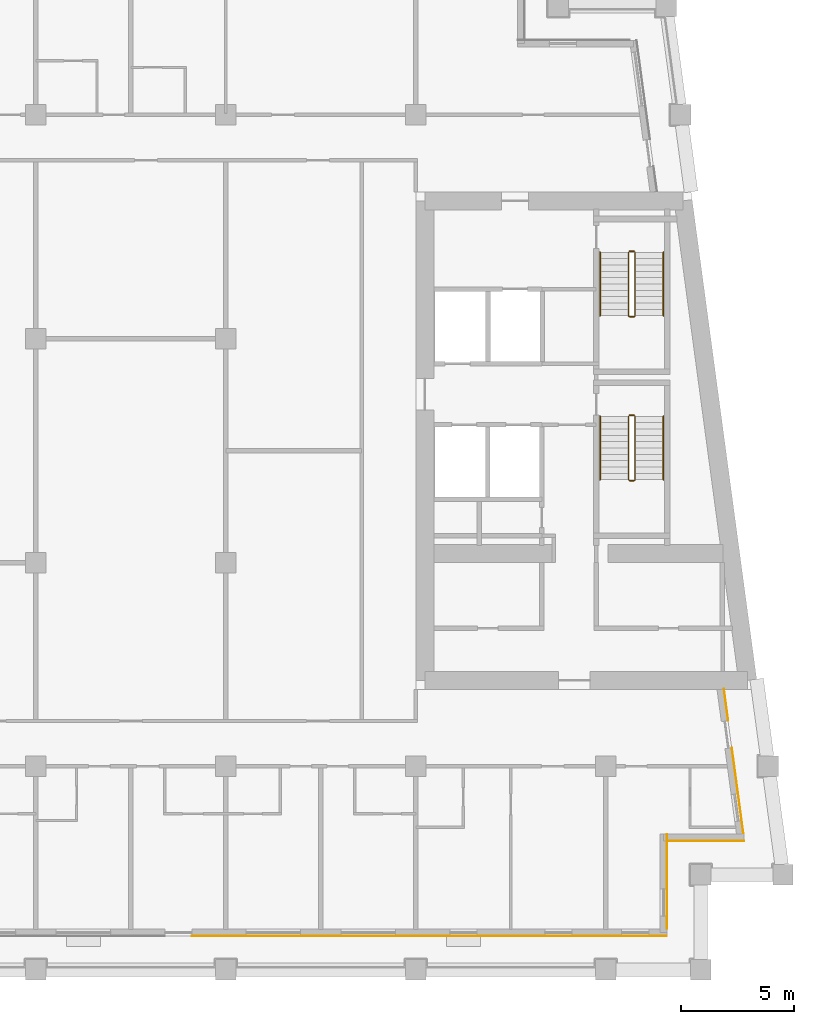
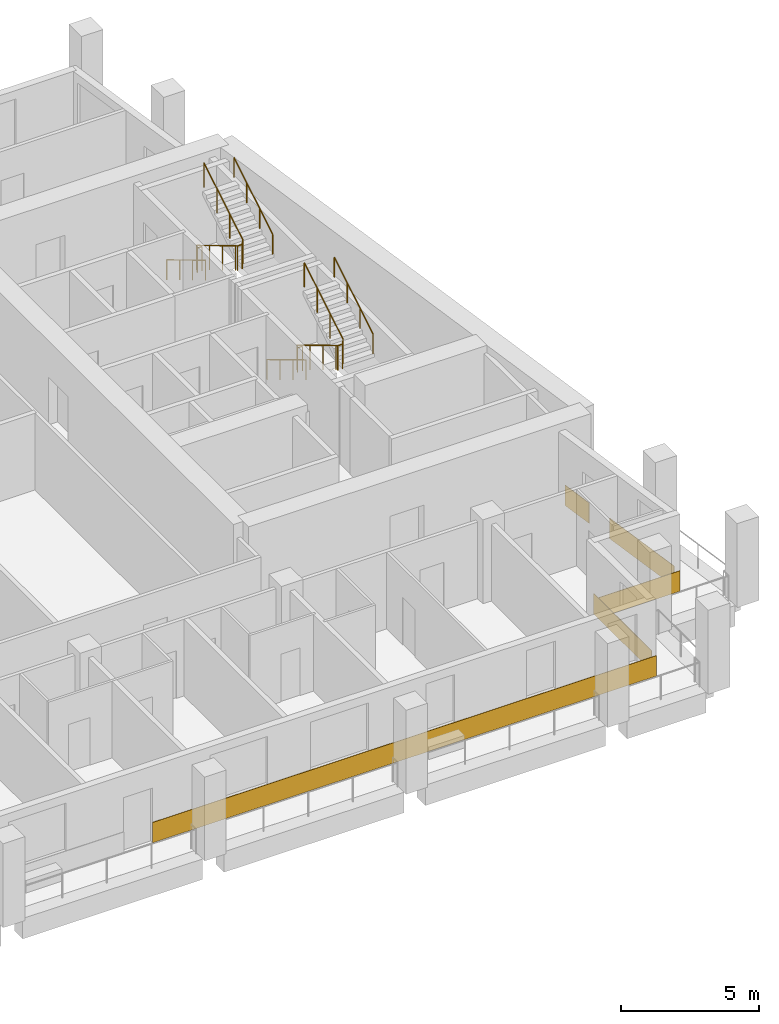
# One storey, part 10 of 12: 8 railings, 5 coverings.
"""IFC4 building model written with IfcOpenShell, lengths in metres."""

import ifcopenshell
import ifcopenshell.guid

model = None  # the IFC model being written
_history = None  # IfcOwnerHistory: only IFC2X3 demands one
_inside = {}  # id of a spatial element -> (the spatial element, [elements in it])
_under = {}  # id of a project, library or spatial element -> (it, [spatial elements below it])
_declared = {}  # id of a project -> (the project, [libraries it declares])
_typed = {}  # id of a type object -> (the type object, [elements of that type])
_made_of = {}  # id of a material, layer set ... -> (it, [elements and type objects made of it])


def new_model(schema):
    """Start an empty IFC model of exactly this schema.

    Asked for "IFC4X3", IfcOpenShell would pick the latest addendum, in which some entities
    have other attributes; the version numbers below select the first issue.
    IFC2X3 requires an IfcOwnerHistory on every rooted entity: one is made here for all.
    """
    global model, _history
    if schema == "IFC4X3":
        model = ifcopenshell.file(schema_version=(4, 3, 0, 0))
    else:
        model = ifcopenshell.file(schema=schema)
    _inside.clear()
    _under.clear()
    _declared.clear()
    _typed.clear()
    _made_of.clear()
    _history = None
    if model.schema == "IFC2X3":
        org = make("IfcOrganization", Name="unknown")
        user = make(
            "IfcPersonAndOrganization",
            ThePerson=make("IfcPerson", FamilyName="unknown"),
            TheOrganization=org,
        )
        app = make(
            "IfcApplication",
            ApplicationDeveloper=org,
            Version="unknown",
            ApplicationFullName="unknown",
            ApplicationIdentifier="unknown",
        )
        _history = make(
            "IfcOwnerHistory",
            OwningUser=user,
            OwningApplication=app,
            ChangeAction="ADDED",
            CreationDate=0,
        )
    return model


def make(cls, **values):
    """One entity of the class cls with the attributes given. An attribute that is None is left unset."""
    return model.create_entity(
        cls, **{name: value for name, value in values.items() if value is not None}
    )


def rooted(cls, **values):
    """An entity with a GlobalId (a new one), such as an element, a storey or a relation."""
    return make(cls, GlobalId=ifcopenshell.guid.new(), OwnerHistory=_history, **values)


def si_unit(unit_type, name, prefix=None):
    """IfcSIUnit, for example si_unit("LENGTHUNIT", "METRE", prefix="MILLI")."""
    return make("IfcSIUnit", UnitType=unit_type, Prefix=prefix, Name=name)


def assignment(units):
    """IfcUnitAssignment: the units of a project."""
    return None if units is None else make("IfcUnitAssignment", Units=units)


def point(xyz):
    """IfcCartesianPoint."""
    return None if xyz is None else make("IfcCartesianPoint", Coordinates=xyz)


def direction(xyz):
    """IfcDirection."""
    return None if xyz is None else make("IfcDirection", DirectionRatios=xyz)


def frame(location, z_axis=None, x_axis=None):
    """IfcAxis2Placement3D, a coordinate frame: its origin and axes. An axis left out is left unset."""
    return make(
        "IfcAxis2Placement3D",
        Location=point(location),
        Axis=direction(z_axis),
        RefDirection=direction(x_axis),
    )


def frame_2d(location, x_axis=None):
    """IfcAxis2Placement2D, a coordinate frame in the plane: its origin and x axis."""
    return make(
        "IfcAxis2Placement2D", Location=point(location), RefDirection=direction(x_axis)
    )


def origin():
    """The frame at (0, 0, 0) with its axes left unset."""
    return frame((0.0, 0.0, 0.0))


def origin_2d():
    """The frame at (0, 0) in the plane with its x axis left unset."""
    return frame_2d((0.0, 0.0))


def place(relative_to, where):
    """IfcLocalPlacement: puts the frame where relative to a parent placement (None: the world)."""
    return make(
        "IfcLocalPlacement", PlacementRelTo=relative_to, RelativePlacement=where
    )


def context(
    kind, dimensions, precision=None, world=None, true_north=None, identifier=None
):
    """IfcGeometricRepresentationContext, for example the 3D "Model" context."""
    return make(
        "IfcGeometricRepresentationContext",
        ContextIdentifier=identifier,
        ContextType=kind,
        CoordinateSpaceDimension=dimensions,
        Precision=precision,
        WorldCoordinateSystem=world,
        TrueNorth=true_north,
    )


def subcontext(parent, identifier, kind, view, scale=None):
    """IfcGeometricRepresentationSubContext, for example "Body" below "Model"."""
    return make(
        "IfcGeometricRepresentationSubContext",
        ContextIdentifier=identifier,
        ContextType=kind,
        ParentContext=parent,
        TargetScale=scale,
        TargetView=view,
    )


def project(units=None, contexts=None):
    """IfcProject with its units and contexts."""
    return rooted(
        "IfcProject",
        Name="project",
        RepresentationContexts=contexts,
        UnitsInContext=assignment(units),
    )


def spatial(cls, under=None, at=None, **own):
    """A site, building, storey or space (cls), placed at a placement, below another one or the project."""
    s = rooted(cls, ObjectPlacement=at, **own)
    if under is not None:
        _under.setdefault(under.id(), (under, []))[1].append(s)
    return s


def profile(cls, at=None, kind="AREA", **sizes):
    """A parametric profile (cls). Its sizes go by their IFC names, for example OverallWidth=200.0."""
    return make(cls, ProfileType=kind, Position=at, **sizes)


def rectangle(**sizes):
    """IfcRectangleProfileDef."""
    return profile("IfcRectangleProfileDef", **sizes)


def circle(**sizes):
    """IfcCircleProfileDef."""
    return profile("IfcCircleProfileDef", **sizes)


def extrude(swept, where, along, depth):
    """IfcExtrudedAreaSolid: the profile swept, set in the frame where, extruded along a direction by depth."""
    return make(
        "IfcExtrudedAreaSolid",
        SweptArea=swept,
        Position=where,
        ExtrudedDirection=direction(along),
        Depth=depth,
    )


def shape(context_of_items, identifier, shape_type, items):
    """IfcShapeRepresentation: the items that make up one representation, for example the "Body"."""
    return make(
        "IfcShapeRepresentation",
        ContextOfItems=context_of_items,
        RepresentationIdentifier=identifier,
        RepresentationType=shape_type,
        Items=items,
    )


def material(Name=None, Category=None):
    """IfcMaterial."""
    return make("IfcMaterial", Name=Name, Category=Category)


def layer(
    of_material, thickness, ventilated=None, Name=None, Category=None, Priority=None
):
    """IfcMaterialLayer: one layer of a wall or slab, of a material (None: an air gap)."""
    return make(
        "IfcMaterialLayer",
        Material=of_material,
        LayerThickness=thickness,
        IsVentilated=ventilated,
        Name=Name,
        Category=Category,
        Priority=Priority,
    )


def layer_set(layers, Name=None):
    """IfcMaterialLayerSet."""
    return make("IfcMaterialLayerSet", MaterialLayers=layers, LayerSetName=Name)


def made_of(thing, what):
    """Note that an element or type object is made of a material, layer set ...; save() writes the relation."""
    if what is not None:
        _made_of.setdefault(what.id(), (what, []))[1].append(thing)
    return thing


def type_object(cls, material=None, **own):
    """A type object (cls), such as IfcWallType, which elements share."""
    return made_of(rooted(cls, **own), material)


def element(
    cls,
    number,
    at=None,
    inside=None,
    cuts=None,
    type_object=None,
    material=None,
    context=None,
    identifier="Body",
    shape_type=None,
    held_by="IfcProductDefinitionShape",
    body=None,
    shapes=None,
    **own,
):
    """One element of the class cls, such as IfcWall. Its Tag is "e" and its number.

    at: its placement. inside: the storey or other place that contains it. cuts: it is an
    opening in that element (IfcRelVoidsElement). A single representation is given by context,
    identifier, shape_type and body (its items); several are given by shapes. held_by: the class
    of the entity that holds the representations. save() writes the other relations.
    """
    e = rooted(cls, Tag="e%d" % number, ObjectPlacement=at, **own)
    if body is not None:
        shapes = [shape(context, identifier, shape_type, body)]
    if shapes is not None:
        e.Representation = make(held_by, Representations=shapes)
    if inside is not None:
        _inside.setdefault(inside.id(), (inside, []))[1].append(e)
    if cuts is not None:
        rooted(
            "IfcRelVoidsElement", RelatingBuildingElement=cuts, RelatedOpeningElement=e
        )
    if type_object is not None:
        _typed.setdefault(type_object.id(), (type_object, []))[1].append(e)
    return made_of(e, material)


def aggregate(whole, parts):
    """IfcRelAggregates: a whole, such as a stair, and the parts it consists of."""
    return rooted("IfcRelAggregates", RelatingObject=whole, RelatedObjects=parts)


def save(model, path):
    """Write the relations noted so far, then the file.

    IfcRelAggregates (storeys below a building ...), IfcRelContainedInSpatialStructure (elements
    in a storey), IfcRelDefinesByType, IfcRelAssociatesMaterial and IfcRelDeclares: one each for
    every whole, place, type object, material and project.
    """
    for whole, parts in _under.values():
        aggregate(whole, parts)
    for where, things in _inside.values():
        rooted(
            "IfcRelContainedInSpatialStructure",
            RelatedElements=things,
            RelatingStructure=where,
        )
    for kind, things in _typed.values():
        rooted("IfcRelDefinesByType", RelatedObjects=things, RelatingType=kind)
    for what, things in _made_of.values():
        rooted("IfcRelAssociatesMaterial", RelatedObjects=things, RelatingMaterial=what)
    for by, libraries in _declared.values():
        rooted("IfcRelDeclares", RelatingContext=by, RelatedDefinitions=libraries)
    model.write(path)


model = new_model("IFC4")

# Units and contexts
model_context = context("Model", 3, precision=1e-05, world=origin(), true_north=direction((0.0, 1.0)))
body_context = subcontext(model_context, "Body", "Model", "MODEL_VIEW")
ifc_project = project(units=[si_unit("LENGTHUNIT", "METRE"), si_unit("AREAUNIT", "SQUARE_METRE"), si_unit("VOLUMEUNIT", "CUBIC_METRE"), si_unit("PLANEANGLEUNIT", "RADIAN"), si_unit("MASSUNIT", "GRAM", prefix="KILO")], contexts=[model_context])

# Site, building, storey
site_placement = place(None, origin())
site = spatial("IfcSite", under=ifc_project, at=site_placement, CompositionType="ELEMENT")
building_placement = place(site_placement, origin())
building = spatial("IfcBuilding", under=site, at=building_placement, Name="Candeia Pilgrim Tower and Theatre", CompositionType="ELEMENT")
storey_placement = place(building_placement, frame((0.0, 0.0, 209.60009765625)))
storey = spatial("IfcBuildingStorey", under=building, at=storey_placement, Name="L50", CompositionType="ELEMENT", Elevation=209.60009765625)

# Coverings
ifc_material_1 = material(Name="Glazed ceramic tile bottle green")
ifc_layer_1 = layer(ifc_material_1, 0.02001953125)
ifc_layer_set_1 = layer_set([ifc_layer_1], Name="Glazed ceramic tile bottle green")
covering_type_1 = type_object("IfcCoveringType", Name="Glazed ceramic tile bottle green", PredefinedType="CLADDING", material=ifc_layer_set_1)
covering_1_placement = place(storey_placement, frame((126.60009765625, 99.489990234375, 0.0), z_axis=(0.0, 0.0, 1.0), x_axis=(1.0, 0.0, 0.0)))
element("IfcCovering", 1, at=covering_1_placement, inside=storey, type_object=covering_type_1, Name="Tile cladding bottle green L50", PredefinedType="CLADDING", context=body_context, shape_type="SweptSolid", body=[
    extrude(rectangle(XDim=21.0, YDim=0.02001953125, at=origin_2d()), origin(), (0.0, 0.0, 1.0), 0.89990234375),
])
covering_2_placement = place(storey_placement, frame((138.819580078125, 103.68994140625, 0.0), z_axis=(0.0, 0.0, 1.0), x_axis=(1.0, 0.0, 0.0)))
element("IfcCovering", 2, at=covering_2_placement, inside=storey, type_object=covering_type_1, Name="Tile cladding bottle green L50", PredefinedType="CLADDING", context=body_context, shape_type="SweptSolid", body=[
    extrude(rectangle(XDim=3.399169921875, YDim=0.02001953125, at=origin_2d()), origin(), (0.0, 0.0, 1.0), 0.89990234375),
])
ifc_material_2 = material(Name="Glazed ceramic tile rust")
ifc_layer_2 = layer(ifc_material_2, 0.02001953125)
ifc_layer_set_2 = layer_set([ifc_layer_2], Name="Glazed ceramic tile rust")
covering_type_2 = type_object("IfcCoveringType", Name="Glazed ceramic tile rust", PredefinedType="CLADDING", material=ifc_layer_set_2)
covering_3_placement = place(storey_placement, frame((137.110107421875, 101.909912109375, 0.0), z_axis=(0.0, 0.0, 1.0), x_axis=(0.0, 1.0, 0.0)))
element("IfcCovering", 3, at=covering_3_placement, inside=storey, type_object=covering_type_2, Name="Tile cladding rust L50", PredefinedType="CLADDING", context=body_context, shape_type="SweptSolid", body=[
    extrude(rectangle(XDim=4.179931640625, YDim=0.02001953125, at=origin_2d()), origin(), (0.0, 0.0, 1.0), 0.89990234375),
])
covering_4_placement = place(storey_placement, frame((140.228515625, 105.933349609375, 0.0), z_axis=(0.0, 0.0, 1.0), x_axis=(-0.133412012145, 0.991060661622, 0.0)))
element("IfcCovering", 4, at=covering_4_placement, inside=storey, type_object=covering_type_2, Name="Tile cladding rust L50", PredefinedType="CLADDING", context=body_context, shape_type="SweptSolid", body=[
    extrude(rectangle(XDim=3.821044921875, YDim=0.02001953125, at=origin_2d()), origin(), (0.0, 0.0, 1.0), 0.89990234375),
])
covering_5_placement = place(storey_placement, frame((139.718994140625, 109.71875, 0.0), z_axis=(0.0, 0.0, 1.0), x_axis=(-0.133412012145, 0.991060661622, 0.0)))
element("IfcCovering", 5, at=covering_5_placement, inside=storey, type_object=covering_type_2, Name="Tile cladding rust L50", PredefinedType="CLADDING", context=body_context, shape_type="SweptSolid", body=[
    extrude(rectangle(XDim=1.41796875, YDim=0.02001953125, at=origin_2d()), origin(), (0.0, 0.0, 1.0), 0.89990234375),
])

# Railings
ifc_material_3 = material(Name="Stainless steel balustrade", Category="steel")
railing_type_1 = type_object("IfcRailingType", Name="RL-GUARD-1100", PredefinedType="GUARDRAIL", material=ifc_material_3)
railing_1_placement = place(storey_placement, frame((135.39794921875, 122.47509765625, 0.16796875)))
element("IfcRailing", 6, at=railing_1_placement, inside=storey, type_object=railing_type_1, Name="L50 ST3 stair guard 1", PredefinedType="GUARDRAIL", context=body_context, shape_type="SweptSolid", body=[
    extrude(circle(Radius=0.02392578125, at=origin_2d()), frame((0.0, 0.0, 1.076171875), z_axis=(0.0, -0.857242210791, 0.514913383045), x_axis=(1.0, 0.0, 0.0)), (0.0, 0.0, 1.0), 3.266357421875),
    extrude(circle(Radius=0.02392578125, at=origin_2d()), frame((0.0, -2.800048828125, 2.7578125), z_axis=(0.707106781187, -0.707106781187, 0.0), x_axis=(0.707106781187, 0.707106781187, 0.0)), (0.0, 0.0, 1.0), 0.07080078125),
    extrude(circle(Radius=0.02392578125, at=origin_2d()), frame((0.050048828125, -2.85009765625, 2.7578125), z_axis=(1.0, 0.0, 0.0), x_axis=(0.0, 1.0, 0.0)), (0.0, 0.0, 1.0), 0.199951171875),
    extrude(circle(Radius=0.02392578125, at=origin_2d()), frame((0.25, -2.85009765625, 2.7578125), z_axis=(0.274243871929, 0.274243871929, 0.92172696468), x_axis=(-0.707106781187, 0.707106781187, 0.0)), (0.0, 0.0, 1.0), 0.1826171875),
    extrude(circle(Radius=0.02392578125, at=origin_2d()), frame((0.300048828125, -2.800048828125, 2.92626953125), z_axis=(0.0, 0.857242210791, 0.514913383045), x_axis=(-1.0, 0.0, 0.0)), (0.0, 0.0, 1.0), 3.266357421875),
    extrude(circle(Radius=0.02099609375, at=origin_2d()), origin(), (0.0, 0.0, 1.0), 1.052001953125),
    extrude(circle(Radius=0.02099609375, at=origin_2d()), frame((0.0, -0.933349609375, 0.560546875)), (0.0, 0.0, 1.0), 1.052001953125),
    extrude(circle(Radius=0.02099609375, at=origin_2d()), frame((0.0, -1.86669921875, 1.121337890625)), (0.0, 0.0, 1.0), 1.052001953125),
    extrude(circle(Radius=0.02099609375, at=origin_2d()), frame((0.0, -2.800048828125, 1.681884765625)), (0.0, 0.0, 1.0), 1.052001953125),
    extrude(circle(Radius=0.02099609375, at=origin_2d()), frame((0.050048828125, -2.85009765625, 1.681884765625)), (0.0, 0.0, 1.0), 1.052001953125),
    extrude(circle(Radius=0.02099609375, at=origin_2d()), frame((0.25, -2.85009765625, 1.681884765625)), (0.0, 0.0, 1.0), 1.052001953125),
    extrude(circle(Radius=0.02099609375, at=origin_2d()), frame((0.300048828125, -2.800048828125, 1.85009765625)), (0.0, 0.0, 1.0), 1.052001953125),
    extrude(circle(Radius=0.02099609375, at=origin_2d()), frame((0.300048828125, -1.86669921875, 2.41064453125)), (0.0, 0.0, 1.0), 1.052001953125),
    extrude(circle(Radius=0.02099609375, at=origin_2d()), frame((0.300048828125, -0.933349609375, 2.971435546875)), (0.0, 0.0, 1.0), 1.052001953125),
    extrude(circle(Radius=0.02099609375, at=origin_2d()), frame((0.300048828125, 0.0, 3.531982421875)), (0.0, 0.0, 1.0), 1.052001953125),
])
railing_2_placement = place(storey_placement, frame((135.447998046875, 122.52490234375, 0.0)))
element("IfcRailing", 7, at=railing_2_placement, inside=storey, type_object=railing_type_1, Name="L50 ST3 stair guard 2", PredefinedType="GUARDRAIL", context=body_context, shape_type="SweptSolid", body=[
    extrude(circle(Radius=0.02392578125, at=origin_2d()), frame((0.0, 0.0, 1.076171875), z_axis=(1.0, 0.0, 0.0), x_axis=(0.0, 1.0, 0.0)), (0.0, 0.0, 1.0), 0.199951171875),
    extrude(circle(Radius=0.02099609375, at=origin_2d()), origin(), (0.0, 0.0, 1.0), 1.052001953125),
    extrude(circle(Radius=0.02099609375, at=origin_2d()), frame((0.199951171875, 0.0, 0.0)), (0.0, 0.0, 1.0), 1.052001953125),
])
railing_3_placement = place(storey_placement, frame((135.39794921875, 129.72509765625, 0.16796875)))
element("IfcRailing", 8, at=railing_3_placement, inside=storey, type_object=railing_type_1, Name="L50 ST4 stair guard 1", PredefinedType="GUARDRAIL", context=body_context, shape_type="SweptSolid", body=[
    extrude(circle(Radius=0.02392578125, at=origin_2d()), frame((0.0, 0.0, 1.076171875), z_axis=(0.0, -0.857242210791, 0.514913383045), x_axis=(1.0, 0.0, 0.0)), (0.0, 0.0, 1.0), 3.266357421875),
    extrude(circle(Radius=0.02392578125, at=origin_2d()), frame((0.0, -2.800048828125, 2.7578125), z_axis=(0.707106781187, -0.707106781187, 0.0), x_axis=(0.707106781187, 0.707106781187, 0.0)), (0.0, 0.0, 1.0), 0.07080078125),
    extrude(circle(Radius=0.02392578125, at=origin_2d()), frame((0.050048828125, -2.85009765625, 2.7578125), z_axis=(1.0, 0.0, 0.0), x_axis=(0.0, 1.0, 0.0)), (0.0, 0.0, 1.0), 0.199951171875),
    extrude(circle(Radius=0.02392578125, at=origin_2d()), frame((0.25, -2.85009765625, 2.7578125), z_axis=(0.274243871929, 0.274243871929, 0.92172696468), x_axis=(-0.707106781187, 0.707106781187, 0.0)), (0.0, 0.0, 1.0), 0.1826171875),
    extrude(circle(Radius=0.02392578125, at=origin_2d()), frame((0.300048828125, -2.800048828125, 2.92626953125), z_axis=(0.0, 0.857242210791, 0.514913383045), x_axis=(-1.0, 0.0, 0.0)), (0.0, 0.0, 1.0), 3.266357421875),
    extrude(circle(Radius=0.02099609375, at=origin_2d()), origin(), (0.0, 0.0, 1.0), 1.052001953125),
    extrude(circle(Radius=0.02099609375, at=origin_2d()), frame((0.0, -0.933349609375, 0.560546875)), (0.0, 0.0, 1.0), 1.052001953125),
    extrude(circle(Radius=0.02099609375, at=origin_2d()), frame((0.0, -1.86669921875, 1.121337890625)), (0.0, 0.0, 1.0), 1.052001953125),
    extrude(circle(Radius=0.02099609375, at=origin_2d()), frame((0.0, -2.800048828125, 1.681884765625)), (0.0, 0.0, 1.0), 1.052001953125),
    extrude(circle(Radius=0.02099609375, at=origin_2d()), frame((0.050048828125, -2.85009765625, 1.681884765625)), (0.0, 0.0, 1.0), 1.052001953125),
    extrude(circle(Radius=0.02099609375, at=origin_2d()), frame((0.25, -2.85009765625, 1.681884765625)), (0.0, 0.0, 1.0), 1.052001953125),
    extrude(circle(Radius=0.02099609375, at=origin_2d()), frame((0.300048828125, -2.800048828125, 1.85009765625)), (0.0, 0.0, 1.0), 1.052001953125),
    extrude(circle(Radius=0.02099609375, at=origin_2d()), frame((0.300048828125, -1.86669921875, 2.41064453125)), (0.0, 0.0, 1.0), 1.052001953125),
    extrude(circle(Radius=0.02099609375, at=origin_2d()), frame((0.300048828125, -0.933349609375, 2.971435546875)), (0.0, 0.0, 1.0), 1.052001953125),
    extrude(circle(Radius=0.02099609375, at=origin_2d()), frame((0.300048828125, 0.0, 3.531982421875)), (0.0, 0.0, 1.0), 1.052001953125),
])
railing_4_placement = place(storey_placement, frame((135.447998046875, 129.77490234375, 0.0)))
element("IfcRailing", 9, at=railing_4_placement, inside=storey, type_object=railing_type_1, Name="L50 ST4 stair guard 2", PredefinedType="GUARDRAIL", context=body_context, shape_type="SweptSolid", body=[
    extrude(circle(Radius=0.02392578125, at=origin_2d()), frame((0.0, 0.0, 1.076171875), z_axis=(1.0, 0.0, 0.0), x_axis=(0.0, 1.0, 0.0)), (0.0, 0.0, 1.0), 0.199951171875),
    extrude(circle(Radius=0.02099609375, at=origin_2d()), origin(), (0.0, 0.0, 1.0), 1.052001953125),
    extrude(circle(Radius=0.02099609375, at=origin_2d()), frame((0.199951171875, 0.0, 0.0)), (0.0, 0.0, 1.0), 1.052001953125),
])
ifc_material_4 = material(Name="Stainless steel handrail", Category="steel")
railing_type_2 = type_object("IfcRailingType", Name="RL-HANDRAIL-900", PredefinedType="HANDRAIL", material=ifc_material_4)
railing_5_placement = place(storey_placement, frame((134.14794921875, 122.47509765625, 0.16796875)))
element("IfcRailing", 10, at=railing_5_placement, inside=storey, type_object=railing_type_2, Name="L50 ST3 stair handrail 1", PredefinedType="HANDRAIL", context=body_context, shape_type="SweptSolid", body=[
    extrude(circle(Radius=0.02392578125, at=origin_2d()), frame((0.0, 0.0, 0.8759765625), z_axis=(0.0, -0.857242210791, 0.514913383045), x_axis=(1.0, 0.0, 0.0)), (0.0, 0.0, 1.0), 3.266357421875),
    extrude(circle(Radius=0.02099609375, at=origin_2d()), origin(), (0.0, 0.0, 1.0), 0.851806640625),
    extrude(circle(Radius=0.02099609375, at=origin_2d()), frame((0.0, -0.933349609375, 0.560546875)), (0.0, 0.0, 1.0), 0.851806640625),
    extrude(circle(Radius=0.02099609375, at=origin_2d()), frame((0.0, -1.86669921875, 1.121337890625)), (0.0, 0.0, 1.0), 0.851806640625),
    extrude(circle(Radius=0.02099609375, at=origin_2d()), frame((0.0, -2.800048828125, 1.681884765625)), (0.0, 0.0, 1.0), 0.851806640625),
])
railing_6_placement = place(storey_placement, frame((136.947998046875, 119.675048828125, 2.01806640625)))
element("IfcRailing", 11, at=railing_6_placement, inside=storey, type_object=railing_type_2, Name="L50 ST3 stair handrail 2", PredefinedType="HANDRAIL", context=body_context, shape_type="SweptSolid", body=[
    extrude(circle(Radius=0.02392578125, at=origin_2d()), frame((0.0, 0.0, 0.8759765625), z_axis=(0.0, 0.857242210791, 0.514913383045), x_axis=(-1.0, 0.0, 0.0)), (0.0, 0.0, 1.0), 3.266357421875),
    extrude(circle(Radius=0.02099609375, at=origin_2d()), origin(), (0.0, 0.0, 1.0), 0.851806640625),
    extrude(circle(Radius=0.02099609375, at=origin_2d()), frame((0.0, 0.933349609375, 0.560546875)), (0.0, 0.0, 1.0), 0.851806640625),
    extrude(circle(Radius=0.02099609375, at=origin_2d()), frame((0.0, 1.86669921875, 1.121337890625)), (0.0, 0.0, 1.0), 0.851806640625),
    extrude(circle(Radius=0.02099609375, at=origin_2d()), frame((0.0, 2.800048828125, 1.681884765625)), (0.0, 0.0, 1.0), 0.851806640625),
])
railing_7_placement = place(storey_placement, frame((134.14794921875, 129.72509765625, 0.16796875)))
element("IfcRailing", 12, at=railing_7_placement, inside=storey, type_object=railing_type_2, Name="L50 ST4 stair handrail 1", PredefinedType="HANDRAIL", context=body_context, shape_type="SweptSolid", body=[
    extrude(circle(Radius=0.02392578125, at=origin_2d()), frame((0.0, 0.0, 0.8759765625), z_axis=(0.0, -0.857242210791, 0.514913383045), x_axis=(1.0, 0.0, 0.0)), (0.0, 0.0, 1.0), 3.266357421875),
    extrude(circle(Radius=0.02099609375, at=origin_2d()), origin(), (0.0, 0.0, 1.0), 0.851806640625),
    extrude(circle(Radius=0.02099609375, at=origin_2d()), frame((0.0, -0.933349609375, 0.560546875)), (0.0, 0.0, 1.0), 0.851806640625),
    extrude(circle(Radius=0.02099609375, at=origin_2d()), frame((0.0, -1.86669921875, 1.121337890625)), (0.0, 0.0, 1.0), 0.851806640625),
    extrude(circle(Radius=0.02099609375, at=origin_2d()), frame((0.0, -2.800048828125, 1.681884765625)), (0.0, 0.0, 1.0), 0.851806640625),
])
railing_8_placement = place(storey_placement, frame((136.947998046875, 126.925048828125, 2.01806640625)))
element("IfcRailing", 13, at=railing_8_placement, inside=storey, type_object=railing_type_2, Name="L50 ST4 stair handrail 2", PredefinedType="HANDRAIL", context=body_context, shape_type="SweptSolid", body=[
    extrude(circle(Radius=0.02392578125, at=origin_2d()), frame((0.0, 0.0, 0.8759765625), z_axis=(0.0, 0.857242210791, 0.514913383045), x_axis=(-1.0, 0.0, 0.0)), (0.0, 0.0, 1.0), 3.266357421875),
    extrude(circle(Radius=0.02099609375, at=origin_2d()), origin(), (0.0, 0.0, 1.0), 0.851806640625),
    extrude(circle(Radius=0.02099609375, at=origin_2d()), frame((0.0, 0.933349609375, 0.560546875)), (0.0, 0.0, 1.0), 0.851806640625),
    extrude(circle(Radius=0.02099609375, at=origin_2d()), frame((0.0, 1.86669921875, 1.121337890625)), (0.0, 0.0, 1.0), 0.851806640625),
    extrude(circle(Radius=0.02099609375, at=origin_2d()), frame((0.0, 2.800048828125, 1.681884765625)), (0.0, 0.0, 1.0), 0.851806640625),
])

save(model, "model.ifc")
